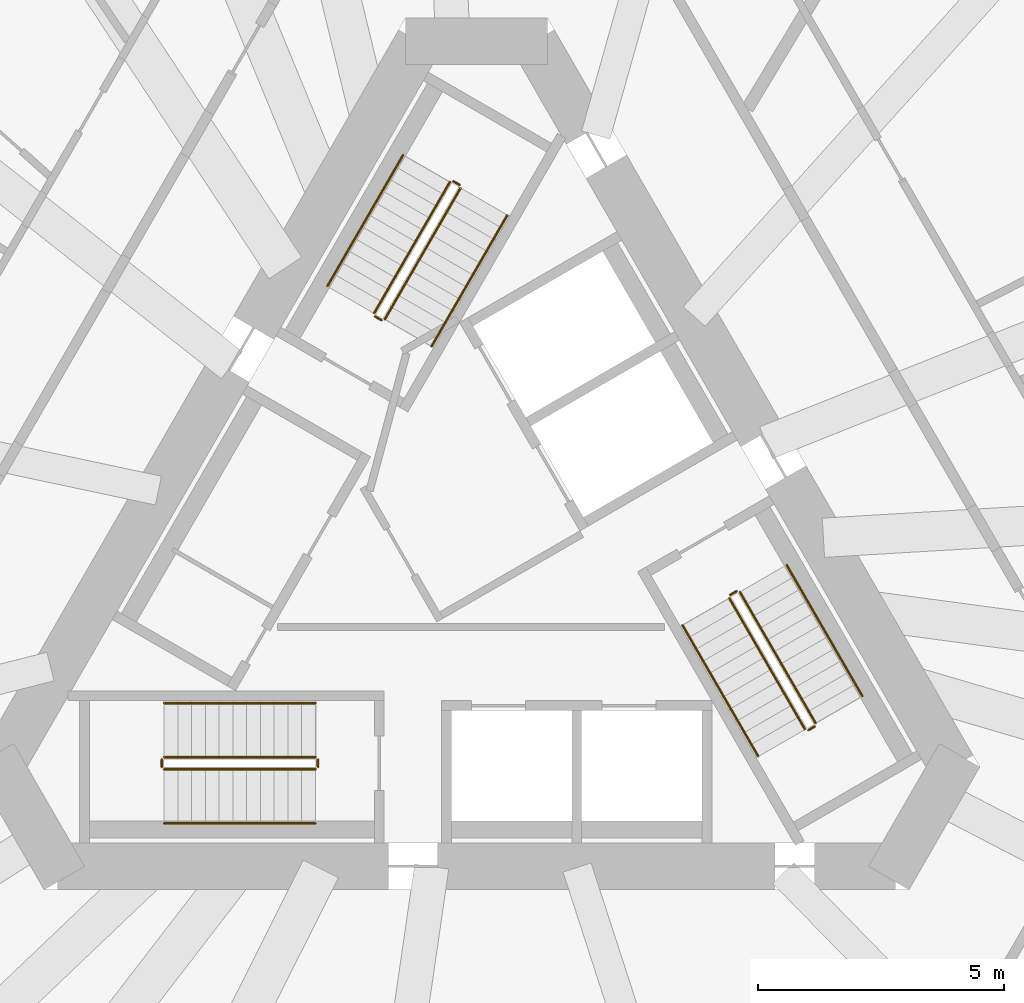
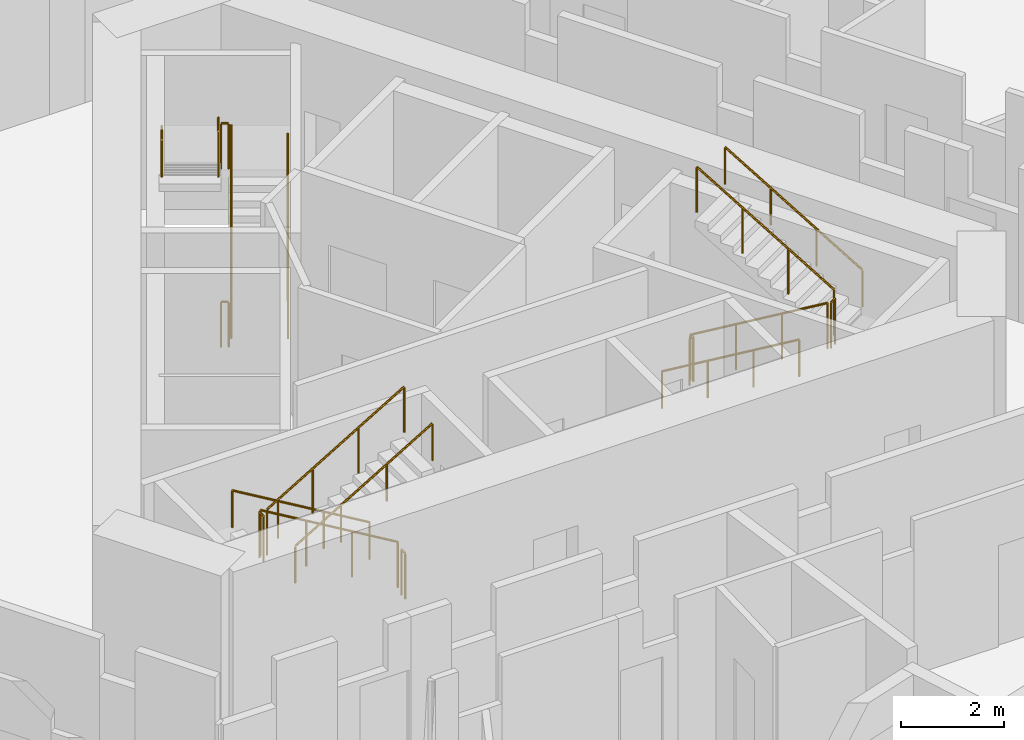
# One storey, part 12 of 13: 18 railings.
"""IFC4 building model written with IfcOpenShell, lengths in metres."""

import ifcopenshell
import ifcopenshell.guid

model = None  # the IFC model being written
_history = None  # IfcOwnerHistory: only IFC2X3 demands one
_inside = {}  # id of a spatial element -> (the spatial element, [elements in it])
_under = {}  # id of a project, library or spatial element -> (it, [spatial elements below it])
_declared = {}  # id of a project -> (the project, [libraries it declares])
_typed = {}  # id of a type object -> (the type object, [elements of that type])
_made_of = {}  # id of a material, layer set ... -> (it, [elements and type objects made of it])


def new_model(schema):
    """Start an empty IFC model of exactly this schema.

    Asked for "IFC4X3", IfcOpenShell would pick the latest addendum, in which some entities
    have other attributes; the version numbers below select the first issue.
    IFC2X3 requires an IfcOwnerHistory on every rooted entity: one is made here for all.
    """
    global model, _history
    if schema == "IFC4X3":
        model = ifcopenshell.file(schema_version=(4, 3, 0, 0))
    else:
        model = ifcopenshell.file(schema=schema)
    _inside.clear()
    _under.clear()
    _declared.clear()
    _typed.clear()
    _made_of.clear()
    _history = None
    if model.schema == "IFC2X3":
        org = make("IfcOrganization", Name="unknown")
        user = make(
            "IfcPersonAndOrganization",
            ThePerson=make("IfcPerson", FamilyName="unknown"),
            TheOrganization=org,
        )
        app = make(
            "IfcApplication",
            ApplicationDeveloper=org,
            Version="unknown",
            ApplicationFullName="unknown",
            ApplicationIdentifier="unknown",
        )
        _history = make(
            "IfcOwnerHistory",
            OwningUser=user,
            OwningApplication=app,
            ChangeAction="ADDED",
            CreationDate=0,
        )
    return model


def make(cls, **values):
    """One entity of the class cls with the attributes given. An attribute that is None is left unset."""
    return model.create_entity(
        cls, **{name: value for name, value in values.items() if value is not None}
    )


def rooted(cls, **values):
    """An entity with a GlobalId (a new one), such as an element, a storey or a relation."""
    return make(cls, GlobalId=ifcopenshell.guid.new(), OwnerHistory=_history, **values)


def si_unit(unit_type, name, prefix=None):
    """IfcSIUnit, for example si_unit("LENGTHUNIT", "METRE", prefix="MILLI")."""
    return make("IfcSIUnit", UnitType=unit_type, Prefix=prefix, Name=name)


def assignment(units):
    """IfcUnitAssignment: the units of a project."""
    return None if units is None else make("IfcUnitAssignment", Units=units)


def point(xyz):
    """IfcCartesianPoint."""
    return None if xyz is None else make("IfcCartesianPoint", Coordinates=xyz)


def direction(xyz):
    """IfcDirection."""
    return None if xyz is None else make("IfcDirection", DirectionRatios=xyz)


def frame(location, z_axis=None, x_axis=None):
    """IfcAxis2Placement3D, a coordinate frame: its origin and axes. An axis left out is left unset."""
    return make(
        "IfcAxis2Placement3D",
        Location=point(location),
        Axis=direction(z_axis),
        RefDirection=direction(x_axis),
    )


def frame_2d(location, x_axis=None):
    """IfcAxis2Placement2D, a coordinate frame in the plane: its origin and x axis."""
    return make(
        "IfcAxis2Placement2D", Location=point(location), RefDirection=direction(x_axis)
    )


def origin():
    """The frame at (0, 0, 0) with its axes left unset."""
    return frame((0.0, 0.0, 0.0))


def origin_2d():
    """The frame at (0, 0) in the plane with its x axis left unset."""
    return frame_2d((0.0, 0.0))


def place(relative_to, where):
    """IfcLocalPlacement: puts the frame where relative to a parent placement (None: the world)."""
    return make(
        "IfcLocalPlacement", PlacementRelTo=relative_to, RelativePlacement=where
    )


def context(
    kind, dimensions, precision=None, world=None, true_north=None, identifier=None
):
    """IfcGeometricRepresentationContext, for example the 3D "Model" context."""
    return make(
        "IfcGeometricRepresentationContext",
        ContextIdentifier=identifier,
        ContextType=kind,
        CoordinateSpaceDimension=dimensions,
        Precision=precision,
        WorldCoordinateSystem=world,
        TrueNorth=true_north,
    )


def subcontext(parent, identifier, kind, view, scale=None):
    """IfcGeometricRepresentationSubContext, for example "Body" below "Model"."""
    return make(
        "IfcGeometricRepresentationSubContext",
        ContextIdentifier=identifier,
        ContextType=kind,
        ParentContext=parent,
        TargetScale=scale,
        TargetView=view,
    )


def project(units=None, contexts=None):
    """IfcProject with its units and contexts."""
    return rooted(
        "IfcProject",
        Name="project",
        RepresentationContexts=contexts,
        UnitsInContext=assignment(units),
    )


def spatial(cls, under=None, at=None, **own):
    """A site, building, storey or space (cls), placed at a placement, below another one or the project."""
    s = rooted(cls, ObjectPlacement=at, **own)
    if under is not None:
        _under.setdefault(under.id(), (under, []))[1].append(s)
    return s


def profile(cls, at=None, kind="AREA", **sizes):
    """A parametric profile (cls). Its sizes go by their IFC names, for example OverallWidth=200.0."""
    return make(cls, ProfileType=kind, Position=at, **sizes)


def circle(**sizes):
    """IfcCircleProfileDef."""
    return profile("IfcCircleProfileDef", **sizes)


def extrude(swept, where, along, depth):
    """IfcExtrudedAreaSolid: the profile swept, set in the frame where, extruded along a direction by depth."""
    return make(
        "IfcExtrudedAreaSolid",
        SweptArea=swept,
        Position=where,
        ExtrudedDirection=direction(along),
        Depth=depth,
    )


def shape(context_of_items, identifier, shape_type, items):
    """IfcShapeRepresentation: the items that make up one representation, for example the "Body"."""
    return make(
        "IfcShapeRepresentation",
        ContextOfItems=context_of_items,
        RepresentationIdentifier=identifier,
        RepresentationType=shape_type,
        Items=items,
    )


def material(Name=None, Category=None):
    """IfcMaterial."""
    return make("IfcMaterial", Name=Name, Category=Category)


def made_of(thing, what):
    """Note that an element or type object is made of a material, layer set ...; save() writes the relation."""
    if what is not None:
        _made_of.setdefault(what.id(), (what, []))[1].append(thing)
    return thing


def type_object(cls, material=None, **own):
    """A type object (cls), such as IfcWallType, which elements share."""
    return made_of(rooted(cls, **own), material)


def element(
    cls,
    number,
    at=None,
    inside=None,
    cuts=None,
    type_object=None,
    material=None,
    context=None,
    identifier="Body",
    shape_type=None,
    held_by="IfcProductDefinitionShape",
    body=None,
    shapes=None,
    **own,
):
    """One element of the class cls, such as IfcWall. Its Tag is "e" and its number.

    at: its placement. inside: the storey or other place that contains it. cuts: it is an
    opening in that element (IfcRelVoidsElement). A single representation is given by context,
    identifier, shape_type and body (its items); several are given by shapes. held_by: the class
    of the entity that holds the representations. save() writes the other relations.
    """
    e = rooted(cls, Tag="e%d" % number, ObjectPlacement=at, **own)
    if body is not None:
        shapes = [shape(context, identifier, shape_type, body)]
    if shapes is not None:
        e.Representation = make(held_by, Representations=shapes)
    if inside is not None:
        _inside.setdefault(inside.id(), (inside, []))[1].append(e)
    if cuts is not None:
        rooted(
            "IfcRelVoidsElement", RelatingBuildingElement=cuts, RelatedOpeningElement=e
        )
    if type_object is not None:
        _typed.setdefault(type_object.id(), (type_object, []))[1].append(e)
    return made_of(e, material)


def aggregate(whole, parts):
    """IfcRelAggregates: a whole, such as a stair, and the parts it consists of."""
    return rooted("IfcRelAggregates", RelatingObject=whole, RelatedObjects=parts)


def save(model, path):
    """Write the relations noted so far, then the file.

    IfcRelAggregates (storeys below a building ...), IfcRelContainedInSpatialStructure (elements
    in a storey), IfcRelDefinesByType, IfcRelAssociatesMaterial and IfcRelDeclares: one each for
    every whole, place, type object, material and project.
    """
    for whole, parts in _under.values():
        aggregate(whole, parts)
    for where, things in _inside.values():
        rooted(
            "IfcRelContainedInSpatialStructure",
            RelatedElements=things,
            RelatingStructure=where,
        )
    for kind, things in _typed.values():
        rooted("IfcRelDefinesByType", RelatedObjects=things, RelatingType=kind)
    for what, things in _made_of.values():
        rooted("IfcRelAssociatesMaterial", RelatedObjects=things, RelatingMaterial=what)
    for by, libraries in _declared.values():
        rooted("IfcRelDeclares", RelatingContext=by, RelatedDefinitions=libraries)
    model.write(path)


model = new_model("IFC4")

# Units and contexts
model_context = context("Model", 3, precision=1e-05, world=origin(), true_north=direction((0.0, 1.0)))
body_context = subcontext(model_context, "Body", "Model", "MODEL_VIEW")
ifc_project = project(units=[si_unit("LENGTHUNIT", "METRE"), si_unit("AREAUNIT", "SQUARE_METRE"), si_unit("VOLUMEUNIT", "CUBIC_METRE"), si_unit("PLANEANGLEUNIT", "RADIAN"), si_unit("MASSUNIT", "GRAM", prefix="KILO")], contexts=[model_context])

# Site, building, storey
site_placement = place(None, origin())
site = spatial("IfcSite", under=ifc_project, at=site_placement, CompositionType="ELEMENT")
building_placement = place(site_placement, origin())
building = spatial("IfcBuilding", under=site, at=building_placement, Name="Tramontana Tower", CompositionType="ELEMENT")
storey_placement = place(building_placement, frame((0.0, 0.0, 100.39990234375)))
storey = spatial("IfcBuildingStorey", under=building, at=storey_placement, Name="L22", CompositionType="ELEMENT", Elevation=100.39990234375)

# Railings
ifc_material_1 = material(Name="Painted steel", Category="steel")
railing_type_1 = type_object("IfcRailingType", Name="STAIR GUARD 1100", PredefinedType="GUARDRAIL", material=ifc_material_1)
railing_1_placement = place(storey_placement, frame((-1.867431640625, 4.865478515625, 0.166748046875)))
element("IfcRailing", 1, at=railing_1_placement, inside=storey, type_object=railing_type_1, Name="L22 ST1 stair guard 1", PredefinedType="GUARDRAIL", context=body_context, shape_type="SweptSolid", body=[
    extrude(circle(Radius=0.02392578125, at=origin_2d()), frame((0.0, 0.0, 1.076171875), z_axis=(0.429649414936, 0.744189839504, 0.511451721109), x_axis=(-0.866029832698, 0.499992328818, 0.0)), (0.0, 0.0, 1.0), 3.58447265625),
    extrude(circle(Radius=0.02099609375, at=origin_2d()), origin(), (0.0, 0.0, 1.0), 1.052001953125),
    extrude(circle(Radius=0.02099609375, at=origin_2d()), frame((0.513427734375, 0.88916015625, 0.611083984375)), (0.0, 0.0, 1.0), 1.052001953125),
    extrude(circle(Radius=0.02099609375, at=origin_2d()), frame((1.026611328125, 1.7783203125, 1.22216796875)), (0.0, 0.0, 1.0), 1.052001953125),
    extrude(circle(Radius=0.02099609375, at=origin_2d()), frame((1.5400390625, 2.66748046875, 1.833251953125)), (0.0, 0.0, 1.0), 1.052001953125),
])
railing_2_placement = place(storey_placement, frame((-0.5439453125, 7.657958984375, 2.166748046875)))
element("IfcRailing", 2, at=railing_2_placement, inside=storey, type_object=railing_type_1, Name="L22 ST1 stair guard 2", PredefinedType="GUARDRAIL", context=body_context, shape_type="SweptSolid", body=[
    extrude(circle(Radius=0.02392578125, at=origin_2d()), frame((0.0, 0.0, 1.076171875), z_axis=(-0.429649414936, -0.744189839504, 0.511451721109), x_axis=(0.866029832698, -0.499992328818, 0.0)), (0.0, 0.0, 1.0), 3.58447265625),
    extrude(circle(Radius=0.02099609375, at=origin_2d()), origin(), (0.0, 0.0, 1.0), 1.052001953125),
    extrude(circle(Radius=0.02099609375, at=origin_2d()), frame((-0.513427734375, -0.88916015625, 0.611083984375)), (0.0, 0.0, 1.0), 1.052001953125),
    extrude(circle(Radius=0.02099609375, at=origin_2d()), frame((-1.026611328125, -1.7783203125, 1.22216796875)), (0.0, 0.0, 1.0), 1.052001953125),
    extrude(circle(Radius=0.02099609375, at=origin_2d()), frame((-1.5400390625, -2.66748046875, 1.833251953125)), (0.0, 0.0, 1.0), 1.052001953125),
])
railing_3_placement = place(storey_placement, frame((-0.345703125, 7.601318359375, 2.0)))
element("IfcRailing", 3, at=railing_3_placement, inside=storey, type_object=railing_type_1, Name="L22 ST1 stair guard 3", PredefinedType="GUARDRAIL", context=body_context, shape_type="SweptSolid", body=[
    extrude(circle(Radius=0.02392578125, at=origin_2d()), frame((0.0, 0.0, 1.076171875), z_axis=(-0.866131372301, 0.499816412211, 0.0), x_axis=(-0.499816412211, -0.866131372301, 0.0)), (0.0, 0.0, 1.0), 0.14990234375),
    extrude(circle(Radius=0.02099609375, at=origin_2d()), origin(), (0.0, 0.0, 1.0), 1.052001953125),
    extrude(circle(Radius=0.02099609375, at=origin_2d()), frame((-0.1298828125, 0.074951171875, 0.0)), (0.0, 0.0, 1.0), 1.052001953125),
])
railing_4_placement = place(storey_placement, frame((-1.935791015625, 4.84716796875, 0.0)))
element("IfcRailing", 4, at=railing_4_placement, inside=storey, type_object=railing_type_1, Name="L22 ST1 stair guard 4", PredefinedType="GUARDRAIL", context=body_context, shape_type="SweptSolid", body=[
    extrude(circle(Radius=0.02392578125, at=origin_2d()), frame((0.0, 0.0, 1.076171875), z_axis=(-0.865426285481, 0.501036270542, 0.0), x_axis=(-0.501036270542, -0.865426285481, 0.0)), (0.0, 0.0, 1.0), 0.150146484375),
    extrude(circle(Radius=0.02099609375, at=origin_2d()), origin(), (0.0, 0.0, 1.0), 1.052001953125),
    extrude(circle(Radius=0.02099609375, at=origin_2d()), frame((-0.1298828125, 0.0751953125, 0.0)), (0.0, 0.0, 1.0), 1.052001953125),
])
railing_5_placement = place(storey_placement, frame((-3.280029296875, -4.050048828125, 0.166748046875)))
element("IfcRailing", 5, at=railing_5_placement, inside=storey, type_object=railing_type_1, Name="L22 ST2 stair guard 1", PredefinedType="GUARDRAIL", context=body_context, shape_type="SweptSolid", body=[
    extrude(circle(Radius=0.02392578125, at=origin_2d()), frame((0.0, 0.0, 1.076171875), z_axis=(-0.859308565015, 0.0, 0.511457515432), x_axis=(0.0, -1.0, 0.0)), (0.0, 0.0, 1.0), 3.58447265625),
    extrude(circle(Radius=0.02099609375, at=origin_2d()), origin(), (0.0, 0.0, 1.0), 1.052001953125),
    extrude(circle(Radius=0.02099609375, at=origin_2d()), frame((-1.026611328125, 0.0, 0.611083984375)), (0.0, 0.0, 1.0), 1.052001953125),
    extrude(circle(Radius=0.02099609375, at=origin_2d()), frame((-2.053466796875, 0.0, 1.22216796875)), (0.0, 0.0, 1.0), 1.052001953125),
    extrude(circle(Radius=0.02099609375, at=origin_2d()), frame((-3.080078125, 0.0, 1.833251953125)), (0.0, 0.0, 1.0), 1.052001953125),
])
railing_6_placement = place(storey_placement, frame((-6.360107421875, -4.300048828125, 2.166748046875)))
element("IfcRailing", 6, at=railing_6_placement, inside=storey, type_object=railing_type_1, Name="L22 ST2 stair guard 2", PredefinedType="GUARDRAIL", context=body_context, shape_type="SweptSolid", body=[
    extrude(circle(Radius=0.02392578125, at=origin_2d()), frame((0.0, 0.0, 1.076171875), z_axis=(0.859308565015, 0.0, 0.511457515432), x_axis=(0.0, 1.0, 0.0)), (0.0, 0.0, 1.0), 3.58447265625),
    extrude(circle(Radius=0.02099609375, at=origin_2d()), origin(), (0.0, 0.0, 1.0), 1.052001953125),
    extrude(circle(Radius=0.02099609375, at=origin_2d()), frame((1.026611328125, 0.0, 0.611083984375)), (0.0, 0.0, 1.0), 1.052001953125),
    extrude(circle(Radius=0.02099609375, at=origin_2d()), frame((2.053466796875, 0.0, 1.22216796875)), (0.0, 0.0, 1.0), 1.052001953125),
    extrude(circle(Radius=0.02099609375, at=origin_2d()), frame((3.080078125, 0.0, 1.833251953125)), (0.0, 0.0, 1.0), 1.052001953125),
])
for number, where, name in (
    (7, (-6.409912109375, -4.10009765625, 2.0), "L22 ST2 stair guard 3"),
    (8, (-3.22998046875, -4.10009765625, 0.0), "L22 ST2 stair guard 4"),
):
    element("IfcRailing", number, at=place(storey_placement, frame(where)), inside=storey, type_object=railing_type_1, Name=name, PredefinedType="GUARDRAIL", context=body_context, shape_type="SweptSolid", body=[
        extrude(circle(Radius=0.02392578125, at=origin_2d()), frame((0.0, 0.0, 1.076171875), z_axis=(0.0, -1.0, 0.0), x_axis=(1.0, 0.0, 0.0)), (0.0, 0.0, 1.0), 0.14990234375),
        extrude(circle(Radius=0.02099609375, at=origin_2d()), origin(), (0.0, 0.0, 1.0), 1.052001953125),
        extrude(circle(Radius=0.02099609375, at=origin_2d()), frame((0.0, -0.14990234375, 0.0)), (0.0, 0.0, 1.0), 1.052001953125),
    ])
railing_7_placement = place(storey_placement, frame((5.1474609375, -0.815673828125, 0.166748046875)))
element("IfcRailing", 9, at=railing_7_placement, inside=storey, type_object=railing_type_1, Name="L22 ST3 stair guard 1", PredefinedType="GUARDRAIL", context=body_context, shape_type="SweptSolid", body=[
    extrude(circle(Radius=0.02392578125, at=origin_2d()), frame((0.0, 0.0, 1.076171875), z_axis=(0.429671193721, -0.744159446956, 0.511477646425), x_axis=(0.866010015463, 0.500026652407, 0.0)), (0.0, 0.0, 1.0), 3.584228515625),
    extrude(circle(Radius=0.02099609375, at=origin_2d()), origin(), (0.0, 0.0, 1.0), 1.052001953125),
    extrude(circle(Radius=0.02099609375, at=origin_2d()), frame((0.513427734375, -0.88916015625, 0.611083984375)), (0.0, 0.0, 1.0), 1.052001953125),
    extrude(circle(Radius=0.02099609375, at=origin_2d()), frame((1.026611328125, -1.778076171875, 1.22216796875)), (0.0, 0.0, 1.0), 1.052001953125),
    extrude(circle(Radius=0.02099609375, at=origin_2d()), frame((1.5400390625, -2.667236328125, 1.833251953125)), (0.0, 0.0, 1.0), 1.052001953125),
])
railing_8_placement = place(storey_placement, frame((6.90380859375, -3.35791015625, 2.166748046875)))
element("IfcRailing", 10, at=railing_8_placement, inside=storey, type_object=railing_type_1, Name="L22 ST3 stair guard 2", PredefinedType="GUARDRAIL", context=body_context, shape_type="SweptSolid", body=[
    extrude(circle(Radius=0.02392578125, at=origin_2d()), frame((0.0, 0.0, 1.076171875), z_axis=(-0.429615651263, 0.74418122563, 0.511492615401), x_axis=(-0.866044340336, -0.499967199496, 0.0)), (0.0, 0.0, 1.0), 3.584228515625),
    extrude(circle(Radius=0.02099609375, at=origin_2d()), origin(), (0.0, 0.0, 1.0), 1.052001953125),
    extrude(circle(Radius=0.02099609375, at=origin_2d()), frame((-0.51318359375, 0.88916015625, 0.611083984375)), (0.0, 0.0, 1.0), 1.052001953125),
    extrude(circle(Radius=0.02099609375, at=origin_2d()), frame((-1.026611328125, 1.778076171875, 1.22216796875)), (0.0, 0.0, 1.0), 1.052001953125),
    extrude(circle(Radius=0.02099609375, at=origin_2d()), frame((-1.539794921875, 2.667236328125, 1.833251953125)), (0.0, 0.0, 1.0), 1.052001953125),
])
for number, where, name in (
    (11, (6.755615234375, -3.501220703125, 2.0), "L22 ST3 stair guard 3"),
    (12, (5.165771484375, -0.747314453125, 0.0), "L22 ST3 stair guard 4"),
):
    element("IfcRailing", number, at=place(storey_placement, frame(where)), inside=storey, type_object=railing_type_1, Name=name, PredefinedType="GUARDRAIL", context=body_context, shape_type="SweptSolid", body=[
        extrude(circle(Radius=0.02392578125, at=origin_2d()), frame((0.0, 0.0, 1.076171875), z_axis=(0.866131372301, 0.499816412211, 0.0), x_axis=(-0.499816412211, 0.866131372301, 0.0)), (0.0, 0.0, 1.0), 0.14990234375),
        extrude(circle(Radius=0.02099609375, at=origin_2d()), origin(), (0.0, 0.0, 1.0), 1.052001953125),
        extrude(circle(Radius=0.02099609375, at=origin_2d()), frame((0.1298828125, 0.074951171875, 0.0)), (0.0, 0.0, 1.0), 1.052001953125),
    ])
ifc_material_2 = material(Name="Painted steel", Category="steel")
railing_type_2 = type_object("IfcRailingType", Name="STAIR HANDRAIL 900", PredefinedType="HANDRAIL", material=ifc_material_2)
railing_9_placement = place(storey_placement, frame((-0.914794921875, 4.315673828125, 0.166748046875)))
element("IfcRailing", 13, at=railing_9_placement, inside=storey, type_object=railing_type_2, Name="L22 ST1 stair handrail 1", PredefinedType="HANDRAIL", context=body_context, shape_type="SweptSolid", body=[
    extrude(circle(Radius=0.02392578125, at=origin_2d()), frame((0.0, 0.0, 0.8759765625), z_axis=(0.429671193721, 0.744159446956, 0.511477646425), x_axis=(-0.866010015463, 0.500026652407, 0.0)), (0.0, 0.0, 1.0), 3.584228515625),
    extrude(circle(Radius=0.02099609375, at=origin_2d()), origin(), (0.0, 0.0, 1.0), 0.851806640625),
    extrude(circle(Radius=0.02099609375, at=origin_2d()), frame((0.513427734375, 0.88916015625, 0.611083984375)), (0.0, 0.0, 1.0), 0.851806640625),
    extrude(circle(Radius=0.02099609375, at=origin_2d()), frame((1.026611328125, 1.778076171875, 1.22216796875)), (0.0, 0.0, 1.0), 0.851806640625),
    extrude(circle(Radius=0.02099609375, at=origin_2d()), frame((1.5400390625, 2.667236328125, 1.833251953125)), (0.0, 0.0, 1.0), 0.851806640625),
])
railing_10_placement = place(storey_placement, frame((-1.49658203125, 8.2080078125, 2.166748046875)))
element("IfcRailing", 14, at=railing_10_placement, inside=storey, type_object=railing_type_2, Name="L22 ST1 stair handrail 2", PredefinedType="HANDRAIL", context=body_context, shape_type="SweptSolid", body=[
    extrude(circle(Radius=0.02392578125, at=origin_2d()), frame((0.0, 0.0, 0.8759765625), z_axis=(-0.429649414936, -0.744189839504, 0.511451721109), x_axis=(0.866029832698, -0.499992328818, 0.0)), (0.0, 0.0, 1.0), 3.58447265625),
    extrude(circle(Radius=0.02099609375, at=origin_2d()), origin(), (0.0, 0.0, 1.0), 0.851806640625),
    extrude(circle(Radius=0.02099609375, at=origin_2d()), frame((-0.513427734375, -0.88916015625, 0.611083984375)), (0.0, 0.0, 1.0), 0.851806640625),
    extrude(circle(Radius=0.02099609375, at=origin_2d()), frame((-1.026611328125, -1.7783203125, 1.22216796875)), (0.0, 0.0, 1.0), 0.851806640625),
    extrude(circle(Radius=0.02099609375, at=origin_2d()), frame((-1.5400390625, -2.66748046875, 1.833251953125)), (0.0, 0.0, 1.0), 0.851806640625),
])
railing_11_placement = place(storey_placement, frame((-3.280029296875, -2.949951171875, 0.166748046875)))
element("IfcRailing", 15, at=railing_11_placement, inside=storey, type_object=railing_type_2, Name="L22 ST2 stair handrail 1", PredefinedType="HANDRAIL", context=body_context, shape_type="SweptSolid", body=[
    extrude(circle(Radius=0.02392578125, at=origin_2d()), frame((0.0, 0.0, 0.8759765625), z_axis=(-0.859308565015, 0.0, 0.511457515432), x_axis=(0.0, -1.0, 0.0)), (0.0, 0.0, 1.0), 3.58447265625),
    extrude(circle(Radius=0.02099609375, at=origin_2d()), origin(), (0.0, 0.0, 1.0), 0.851806640625),
    extrude(circle(Radius=0.02099609375, at=origin_2d()), frame((-1.026611328125, 0.0, 0.611083984375)), (0.0, 0.0, 1.0), 0.851806640625),
    extrude(circle(Radius=0.02099609375, at=origin_2d()), frame((-2.053466796875, 0.0, 1.22216796875)), (0.0, 0.0, 1.0), 0.851806640625),
    extrude(circle(Radius=0.02099609375, at=origin_2d()), frame((-3.080078125, 0.0, 1.833251953125)), (0.0, 0.0, 1.0), 0.851806640625),
])
railing_12_placement = place(storey_placement, frame((-6.360107421875, -5.39990234375, 2.166748046875)))
element("IfcRailing", 16, at=railing_12_placement, inside=storey, type_object=railing_type_2, Name="L22 ST2 stair handrail 2", PredefinedType="HANDRAIL", context=body_context, shape_type="SweptSolid", body=[
    extrude(circle(Radius=0.02392578125, at=origin_2d()), frame((0.0, 0.0, 0.8759765625), z_axis=(0.859308565015, 0.0, 0.511457515432), x_axis=(0.0, 1.0, 0.0)), (0.0, 0.0, 1.0), 3.58447265625),
    extrude(circle(Radius=0.02099609375, at=origin_2d()), origin(), (0.0, 0.0, 1.0), 0.851806640625),
    extrude(circle(Radius=0.02099609375, at=origin_2d()), frame((1.026611328125, 0.0, 0.611083984375)), (0.0, 0.0, 1.0), 0.851806640625),
    extrude(circle(Radius=0.02099609375, at=origin_2d()), frame((2.053466796875, 0.0, 1.22216796875)), (0.0, 0.0, 1.0), 0.851806640625),
    extrude(circle(Radius=0.02099609375, at=origin_2d()), frame((3.080078125, 0.0, 1.833251953125)), (0.0, 0.0, 1.0), 0.851806640625),
])
railing_13_placement = place(storey_placement, frame((4.19482421875, -1.365478515625, 0.166748046875)))
element("IfcRailing", 17, at=railing_13_placement, inside=storey, type_object=railing_type_2, Name="L22 ST3 stair handrail 1", PredefinedType="HANDRAIL", context=body_context, shape_type="SweptSolid", body=[
    extrude(circle(Radius=0.02392578125, at=origin_2d()), frame((0.0, 0.0, 0.8759765625), z_axis=(0.429649414936, -0.744189839504, 0.511451721109), x_axis=(0.866029832698, 0.499992328818, 0.0)), (0.0, 0.0, 1.0), 3.58447265625),
    extrude(circle(Radius=0.02099609375, at=origin_2d()), origin(), (0.0, 0.0, 1.0), 0.851806640625),
    extrude(circle(Radius=0.02099609375, at=origin_2d()), frame((0.513427734375, -0.88916015625, 0.611083984375)), (0.0, 0.0, 1.0), 0.851806640625),
    extrude(circle(Radius=0.02099609375, at=origin_2d()), frame((1.026611328125, -1.7783203125, 1.22216796875)), (0.0, 0.0, 1.0), 0.851806640625),
    extrude(circle(Radius=0.02099609375, at=origin_2d()), frame((1.5400390625, -2.66748046875, 1.833251953125)), (0.0, 0.0, 1.0), 0.851806640625),
])
railing_14_placement = place(storey_placement, frame((7.8564453125, -2.807861328125, 2.166748046875)))
element("IfcRailing", 18, at=railing_14_placement, inside=storey, type_object=railing_type_2, Name="L22 ST3 stair handrail 2", PredefinedType="HANDRAIL", context=body_context, shape_type="SweptSolid", body=[
    extrude(circle(Radius=0.02392578125, at=origin_2d()), frame((0.0, 0.0, 0.8759765625), z_axis=(-0.429615651263, 0.74418122563, 0.511492615401), x_axis=(-0.866044340336, -0.499967199496, 0.0)), (0.0, 0.0, 1.0), 3.584228515625),
    extrude(circle(Radius=0.02099609375, at=origin_2d()), origin(), (0.0, 0.0, 1.0), 0.851806640625),
    extrude(circle(Radius=0.02099609375, at=origin_2d()), frame((-0.51318359375, 0.88916015625, 0.611083984375)), (0.0, 0.0, 1.0), 0.851806640625),
    extrude(circle(Radius=0.02099609375, at=origin_2d()), frame((-1.026611328125, 1.778076171875, 1.22216796875)), (0.0, 0.0, 1.0), 0.851806640625),
    extrude(circle(Radius=0.02099609375, at=origin_2d()), frame((-1.539794921875, 2.667236328125, 1.833251953125)), (0.0, 0.0, 1.0), 0.851806640625),
])

save(model, "model.ifc")
